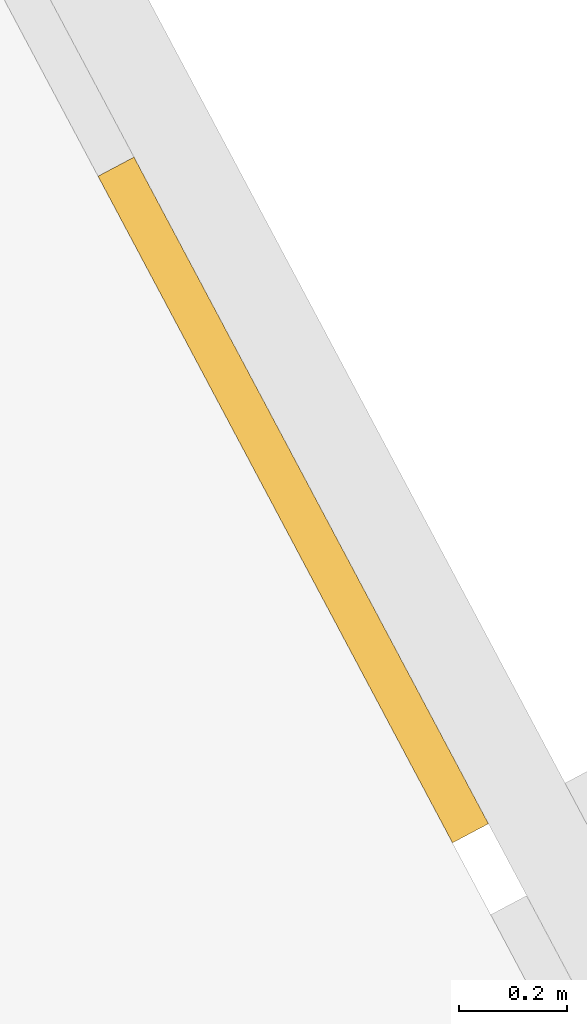
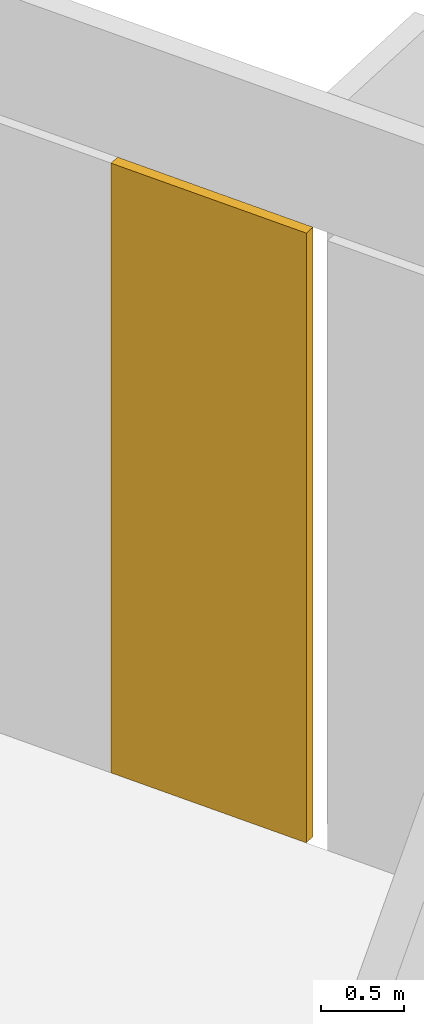
# One storey, part 32 of 32: 1 covering, 1 element without a shape of its own.
"""IFC4 building model written with IfcOpenShell, lengths in metres."""

from ifc_helpers import new_model, si_unit, direction, frame, origin, origin_2d, place, context, subcontext, project, spatial, rectangle, extrude, material, layer, layer_set, type_object, element, aggregate, save


model = new_model("IFC4")

# Units and contexts
model_context = context("Model", 3, precision=1e-05, world=origin(), true_north=direction((0.0, 1.0)))
body_context = subcontext(model_context, "Body", "Model", "MODEL_VIEW")
ifc_project = project(units=[si_unit("LENGTHUNIT", "METRE"), si_unit("AREAUNIT", "SQUARE_METRE"), si_unit("VOLUMEUNIT", "CUBIC_METRE"), si_unit("PLANEANGLEUNIT", "RADIAN"), si_unit("MASSUNIT", "GRAM", prefix="KILO")], contexts=[model_context])

# Site, building, storey
site_placement = place(None, origin())
site = spatial("IfcSite", under=ifc_project, at=site_placement, CompositionType="ELEMENT")
building_placement = place(site_placement, origin())
building = spatial("IfcBuilding", under=site, at=building_placement, Name="Cormorant Relay Tower", CompositionType="ELEMENT")
storey_placement = place(building_placement, frame((0.0, 0.0, 60.800048828125)))
storey = spatial("IfcBuildingStorey", under=building, at=storey_placement, Name="L11", CompositionType="ELEMENT", Elevation=60.800048828125)

# Curtain wall, covering
ifc_material_1 = material(Name="Aluminium 6063-T6 anodised bronze", Category="aluminium")
ifc_layer_1 = layer(ifc_material_1, 0.235107421875)
ifc_layer_set_1 = layer_set([ifc_layer_1], Name="CW6 data hall curtain wall with mineral wool panels")
curtain_wall_type = type_object("IfcCurtainWallType", Name="CW6 data hall curtain wall with mineral wool panels", PredefinedType="NOTDEFINED", material=ifc_layer_set_1)
curtain_wall_placement = place(storey_placement, origin())
curtain_wall = element("IfcCurtainWall", 1, at=curtain_wall_placement, inside=storey, type_object=curtain_wall_type, Name="CW6 curtain wall 4", PredefinedType="NOTDEFINED")
ifc_material_2 = material(Name="Mineral wool cored anodised bronze aluminium cassette panel", Category="aluminium")
ifc_layer_2 = layer(ifc_material_2, 0.074951171875)
ifc_layer_set_2 = layer_set([ifc_layer_2], Name="CW6 mineral wool cassette panel 75")
covering_type = type_object("IfcCoveringType", Name="CW6 mineral wool cassette panel 75", PredefinedType="CLADDING", material=ifc_layer_set_2)
covering_placement = place(storey_placement, frame((66.86474609375, 27.689453125, 0.0), z_axis=(0.0, 0.0, 1.0), x_axis=(-0.469471562786, 0.882947592859, 0.0)))
covering = element("IfcCovering", 2, at=covering_placement, type_object=covering_type, Name="CW6 panel S01", PredefinedType="CLADDING", context=body_context, shape_type="SweptSolid", body=[
    extrude(rectangle(XDim=1.392822265625, YDim=0.074951171875, at=origin_2d()), origin(), (0.0, 0.0, 1.0), 4.5),
])
aggregate(curtain_wall, [covering])

save(model, "model.ifc")
